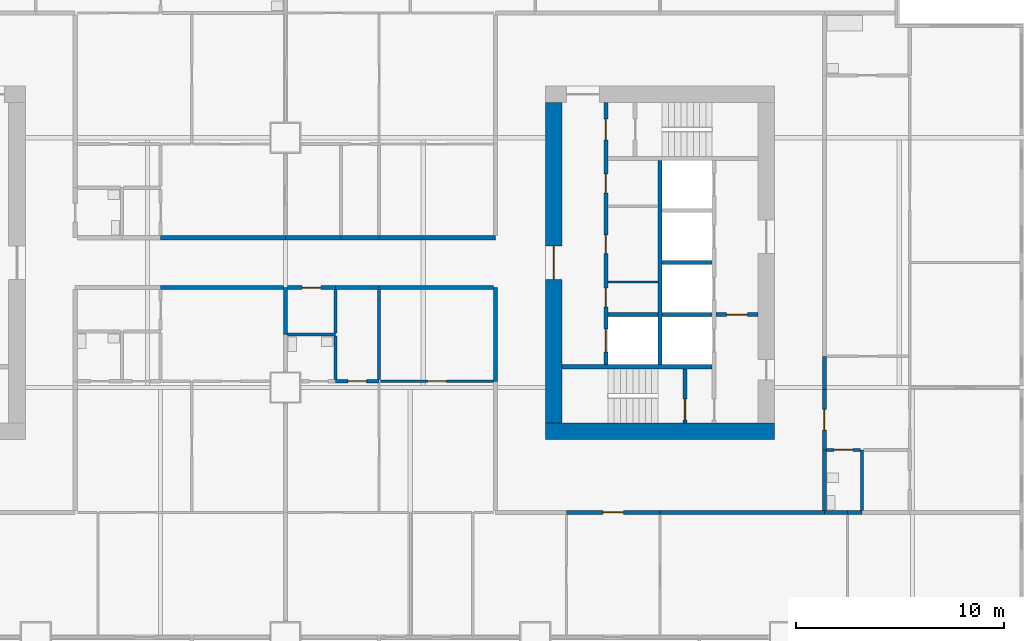
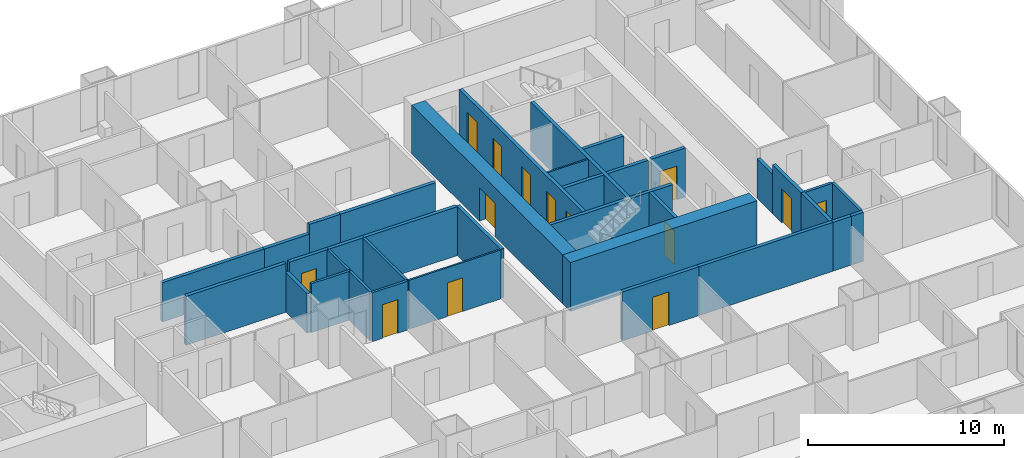
# One storey, part 7 of 14: 36 walls, 14 doors, 14 openings.
"""IFC4 building model written with IfcOpenShell, lengths in metres."""

import ifcopenshell
import ifcopenshell.guid

model = None  # the IFC model being written
_history = None  # IfcOwnerHistory: only IFC2X3 demands one
_inside = {}  # id of a spatial element -> (the spatial element, [elements in it])
_under = {}  # id of a project, library or spatial element -> (it, [spatial elements below it])
_declared = {}  # id of a project -> (the project, [libraries it declares])
_typed = {}  # id of a type object -> (the type object, [elements of that type])
_made_of = {}  # id of a material, layer set ... -> (it, [elements and type objects made of it])


def new_model(schema):
    """Start an empty IFC model of exactly this schema.

    Asked for "IFC4X3", IfcOpenShell would pick the latest addendum, in which some entities
    have other attributes; the version numbers below select the first issue.
    IFC2X3 requires an IfcOwnerHistory on every rooted entity: one is made here for all.
    """
    global model, _history
    if schema == "IFC4X3":
        model = ifcopenshell.file(schema_version=(4, 3, 0, 0))
    else:
        model = ifcopenshell.file(schema=schema)
    _inside.clear()
    _under.clear()
    _declared.clear()
    _typed.clear()
    _made_of.clear()
    _history = None
    if model.schema == "IFC2X3":
        org = make("IfcOrganization", Name="unknown")
        user = make(
            "IfcPersonAndOrganization",
            ThePerson=make("IfcPerson", FamilyName="unknown"),
            TheOrganization=org,
        )
        app = make(
            "IfcApplication",
            ApplicationDeveloper=org,
            Version="unknown",
            ApplicationFullName="unknown",
            ApplicationIdentifier="unknown",
        )
        _history = make(
            "IfcOwnerHistory",
            OwningUser=user,
            OwningApplication=app,
            ChangeAction="ADDED",
            CreationDate=0,
        )
    return model


def make(cls, **values):
    """One entity of the class cls with the attributes given. An attribute that is None is left unset."""
    return model.create_entity(
        cls, **{name: value for name, value in values.items() if value is not None}
    )


def rooted(cls, **values):
    """An entity with a GlobalId (a new one), such as an element, a storey or a relation."""
    return make(cls, GlobalId=ifcopenshell.guid.new(), OwnerHistory=_history, **values)


def si_unit(unit_type, name, prefix=None):
    """IfcSIUnit, for example si_unit("LENGTHUNIT", "METRE", prefix="MILLI")."""
    return make("IfcSIUnit", UnitType=unit_type, Prefix=prefix, Name=name)


def assignment(units):
    """IfcUnitAssignment: the units of a project."""
    return None if units is None else make("IfcUnitAssignment", Units=units)


def point(xyz):
    """IfcCartesianPoint."""
    return None if xyz is None else make("IfcCartesianPoint", Coordinates=xyz)


def direction(xyz):
    """IfcDirection."""
    return None if xyz is None else make("IfcDirection", DirectionRatios=xyz)


def frame(location, z_axis=None, x_axis=None):
    """IfcAxis2Placement3D, a coordinate frame: its origin and axes. An axis left out is left unset."""
    return make(
        "IfcAxis2Placement3D",
        Location=point(location),
        Axis=direction(z_axis),
        RefDirection=direction(x_axis),
    )


def frame_2d(location, x_axis=None):
    """IfcAxis2Placement2D, a coordinate frame in the plane: its origin and x axis."""
    return make(
        "IfcAxis2Placement2D", Location=point(location), RefDirection=direction(x_axis)
    )


def origin():
    """The frame at (0, 0, 0) with its axes left unset."""
    return frame((0.0, 0.0, 0.0))


def place(relative_to, where):
    """IfcLocalPlacement: puts the frame where relative to a parent placement (None: the world)."""
    return make(
        "IfcLocalPlacement", PlacementRelTo=relative_to, RelativePlacement=where
    )


def context(
    kind, dimensions, precision=None, world=None, true_north=None, identifier=None
):
    """IfcGeometricRepresentationContext, for example the 3D "Model" context."""
    return make(
        "IfcGeometricRepresentationContext",
        ContextIdentifier=identifier,
        ContextType=kind,
        CoordinateSpaceDimension=dimensions,
        Precision=precision,
        WorldCoordinateSystem=world,
        TrueNorth=true_north,
    )


def subcontext(parent, identifier, kind, view, scale=None):
    """IfcGeometricRepresentationSubContext, for example "Body" below "Model"."""
    return make(
        "IfcGeometricRepresentationSubContext",
        ContextIdentifier=identifier,
        ContextType=kind,
        ParentContext=parent,
        TargetScale=scale,
        TargetView=view,
    )


def project(units=None, contexts=None):
    """IfcProject with its units and contexts."""
    return rooted(
        "IfcProject",
        Name="project",
        RepresentationContexts=contexts,
        UnitsInContext=assignment(units),
    )


def spatial(cls, under=None, at=None, **own):
    """A site, building, storey or space (cls), placed at a placement, below another one or the project."""
    s = rooted(cls, ObjectPlacement=at, **own)
    if under is not None:
        _under.setdefault(under.id(), (under, []))[1].append(s)
    return s


def profile(cls, at=None, kind="AREA", **sizes):
    """A parametric profile (cls). Its sizes go by their IFC names, for example OverallWidth=200.0."""
    return make(cls, ProfileType=kind, Position=at, **sizes)


def rectangle(**sizes):
    """IfcRectangleProfileDef."""
    return profile("IfcRectangleProfileDef", **sizes)


def extrude(swept, where, along, depth):
    """IfcExtrudedAreaSolid: the profile swept, set in the frame where, extruded along a direction by depth."""
    return make(
        "IfcExtrudedAreaSolid",
        SweptArea=swept,
        Position=where,
        ExtrudedDirection=direction(along),
        Depth=depth,
    )


def shape(context_of_items, identifier, shape_type, items):
    """IfcShapeRepresentation: the items that make up one representation, for example the "Body"."""
    return make(
        "IfcShapeRepresentation",
        ContextOfItems=context_of_items,
        RepresentationIdentifier=identifier,
        RepresentationType=shape_type,
        Items=items,
    )


def material(Name=None, Category=None):
    """IfcMaterial."""
    return make("IfcMaterial", Name=Name, Category=Category)


def layer(
    of_material, thickness, ventilated=None, Name=None, Category=None, Priority=None
):
    """IfcMaterialLayer: one layer of a wall or slab, of a material (None: an air gap)."""
    return make(
        "IfcMaterialLayer",
        Material=of_material,
        LayerThickness=thickness,
        IsVentilated=ventilated,
        Name=Name,
        Category=Category,
        Priority=Priority,
    )


def layer_set(layers, Name=None):
    """IfcMaterialLayerSet."""
    return make("IfcMaterialLayerSet", MaterialLayers=layers, LayerSetName=Name)


def made_of(thing, what):
    """Note that an element or type object is made of a material, layer set ...; save() writes the relation."""
    if what is not None:
        _made_of.setdefault(what.id(), (what, []))[1].append(thing)
    return thing


def type_object(cls, material=None, **own):
    """A type object (cls), such as IfcWallType, which elements share."""
    return made_of(rooted(cls, **own), material)


def element(
    cls,
    number,
    at=None,
    inside=None,
    cuts=None,
    type_object=None,
    material=None,
    context=None,
    identifier="Body",
    shape_type=None,
    held_by="IfcProductDefinitionShape",
    body=None,
    shapes=None,
    **own,
):
    """One element of the class cls, such as IfcWall. Its Tag is "e" and its number.

    at: its placement. inside: the storey or other place that contains it. cuts: it is an
    opening in that element (IfcRelVoidsElement). A single representation is given by context,
    identifier, shape_type and body (its items); several are given by shapes. held_by: the class
    of the entity that holds the representations. save() writes the other relations.
    """
    e = rooted(cls, Tag="e%d" % number, ObjectPlacement=at, **own)
    if body is not None:
        shapes = [shape(context, identifier, shape_type, body)]
    if shapes is not None:
        e.Representation = make(held_by, Representations=shapes)
    if inside is not None:
        _inside.setdefault(inside.id(), (inside, []))[1].append(e)
    if cuts is not None:
        rooted(
            "IfcRelVoidsElement", RelatingBuildingElement=cuts, RelatedOpeningElement=e
        )
    if type_object is not None:
        _typed.setdefault(type_object.id(), (type_object, []))[1].append(e)
    return made_of(e, material)


def fill(opening, filler):
    """IfcRelFillsElement: the door or window that sits in an opening."""
    return rooted(
        "IfcRelFillsElement",
        RelatingOpeningElement=opening,
        RelatedBuildingElement=filler,
    )


def aggregate(whole, parts):
    """IfcRelAggregates: a whole, such as a stair, and the parts it consists of."""
    return rooted("IfcRelAggregates", RelatingObject=whole, RelatedObjects=parts)


def save(model, path):
    """Write the relations noted so far, then the file.

    IfcRelAggregates (storeys below a building ...), IfcRelContainedInSpatialStructure (elements
    in a storey), IfcRelDefinesByType, IfcRelAssociatesMaterial and IfcRelDeclares: one each for
    every whole, place, type object, material and project.
    """
    for whole, parts in _under.values():
        aggregate(whole, parts)
    for where, things in _inside.values():
        rooted(
            "IfcRelContainedInSpatialStructure",
            RelatedElements=things,
            RelatingStructure=where,
        )
    for kind, things in _typed.values():
        rooted("IfcRelDefinesByType", RelatedObjects=things, RelatingType=kind)
    for what, things in _made_of.values():
        rooted("IfcRelAssociatesMaterial", RelatedObjects=things, RelatingMaterial=what)
    for by, libraries in _declared.values():
        rooted("IfcRelDeclares", RelatingContext=by, RelatedDefinitions=libraries)
    model.write(path)


model = new_model("IFC4")

# Units and contexts
model_context = context("Model", 3, precision=1e-05, world=origin(), true_north=direction((0.0, 1.0)))
body_context = subcontext(model_context, "Body", "Model", "MODEL_VIEW")
ifc_project = project(units=[si_unit("LENGTHUNIT", "METRE"), si_unit("AREAUNIT", "SQUARE_METRE"), si_unit("VOLUMEUNIT", "CUBIC_METRE"), si_unit("PLANEANGLEUNIT", "RADIAN"), si_unit("MASSUNIT", "GRAM", prefix="KILO")], contexts=[model_context])

# Site, building, storey
site_placement = place(None, origin())
site = spatial("IfcSite", under=ifc_project, at=site_placement, CompositionType="ELEMENT")
building_placement = place(site_placement, origin())
building = spatial("IfcBuilding", under=site, at=building_placement, Name="Kitamizu Gate Tower and Museum", CompositionType="ELEMENT")
storey_placement = place(building_placement, frame((0.0, 0.0, 64.5)))
storey = spatial("IfcBuildingStorey", under=building, at=storey_placement, Name="L15", CompositionType="ELEMENT", Elevation=64.5)

# Wall
ifc_material_1 = material(Name="Concrete Fc60", Category="concrete")
ifc_layer_1 = layer(ifc_material_1, 0.800048828125)
ifc_layer_set_1 = layer_set([ifc_layer_1], Name="Concrete Fc60")
wall_type_1 = type_object("IfcWallType", Name="Core wall 800", PredefinedType="SHEAR", material=ifc_layer_set_1)
wall_1_placement = place(storey_placement, frame((59.5, 21.89990234375, 0.0), z_axis=(0.0, 0.0, 1.0), x_axis=(-1.0, 0.0, 0.0)))
element("IfcWall", 1, at=wall_1_placement, inside=storey, type_object=wall_type_1, Name="Core wall ES", PredefinedType="SHEAR", context=body_context, shape_type="SweptSolid", body=[
    extrude(rectangle(XDim=11.0, YDim=0.800048828125, at=frame_2d((5.5, 0.0))), origin(), (0.0, 0.0, 1.0), 3.050048828125),
])

# Wall, opening, door
wall_2_placement = place(storey_placement, frame((48.89990234375, 22.300048828125, 0.0), z_axis=(0.0, 0.0, 1.0), x_axis=(0.0, 1.0, 0.0)))
wall_2 = element("IfcWall", 2, at=wall_2_placement, inside=storey, type_object=wall_type_1, Name="Core wall EARC", PredefinedType="SHEAR", context=body_context, shape_type="SweptSolid", body=[
    extrude(rectangle(XDim=15.39990234375, YDim=0.800048828125, at=frame_2d((7.699951171875, 0.0))), origin(), (0.0, 0.0, 1.0), 3.050048828125),
])
opening_1_placement = place(wall_2_placement, frame((6.89990234375, 0.0, 0.0)))
opening_1 = element("IfcOpeningElement", 3, at=opening_1_placement, cuts=wall_2, Name="Opening L15-105", PredefinedType="OPENING", context=body_context, shape_type="SweptSolid", body=[
    extrude(rectangle(XDim=1.60009765625, YDim=2.10009765625, at=frame_2d((0.800048828125, 1.050048828125))), frame((0.0, 0.41015625, 0.0), z_axis=(0.0, -1.0, 0.0), x_axis=(1.0, 0.0, 0.0)), (0.0, 0.0, 1.0), 0.820068359375),
])
ifc_material_2 = material(Name="Timber door set", Category="wood")
door_type_1 = type_object("IfcDoorType", Name="Entrance door 1600", OperationType="DOUBLE_DOOR_SINGLE_SWING", PredefinedType="DOOR", material=ifc_material_2)
door_1_placement = place(opening_1_placement, origin())
door_1 = element("IfcDoor", 4, at=door_1_placement, inside=storey, type_object=door_type_1, Name="Lobby door L15-105", OperationType="DOUBLE_DOOR_SINGLE_SWING", OverallHeight=2.10009765625, OverallWidth=1.60009765625, PredefinedType="DOOR", context=body_context, shape_type="SweptSolid", body=[
    extrude(rectangle(XDim=1.60009765625, YDim=2.10009765625, at=frame_2d((0.800048828125, 1.050048828125))), frame((0.0, 0.02490234375, 0.0), z_axis=(0.0, -1.0, 0.0), x_axis=(1.0, 0.0, 0.0)), (0.0, 0.0, 1.0), 0.050048828125),
])
fill(opening_1, door_1)

# Wall
ifc_material_3 = material(Name="Gypsum board on galvanised stud")
ifc_layer_2 = layer(ifc_material_3, 0.10009765625)
ifc_layer_set_2 = layer_set([ifc_layer_2], Name="Gypsum board on galvanised stud")
wall_type_2 = type_object("IfcWallType", Name="Partition 100", PredefinedType="PARTITIONING", material=ifc_layer_set_2)
wall_3_placement = place(storey_placement, frame((53.89990234375, 29.06005859375, 0.0), z_axis=(0.0, 0.0, 1.0), x_axis=(-1.0, 0.0, 0.0)))
element("IfcWall", 5, at=wall_3_placement, inside=storey, type_object=wall_type_2, Name="Partition EPF1", PredefinedType="PARTITIONING", context=body_context, shape_type="SweptSolid", body=[
    extrude(rectangle(XDim=2.39990234375, YDim=0.10009765625, at=frame_2d((1.199951171875, 0.0))), origin(), (0.0, 0.0, 1.0), 3.050048828125),
])

# Wall, opening, door
ifc_material_4 = material(Name="Gypsum board on galvanised stud")
ifc_layer_3 = layer(ifc_material_4, 0.10009765625)
ifc_layer_set_3 = layer_set([ifc_layer_3], Name="Gypsum board on galvanised stud")
wall_type_3 = type_object("IfcWallType", Name="Partition 100 NOT RATED", PredefinedType="PARTITIONING", material=ifc_layer_set_3)
wall_4_placement = place(storey_placement, frame((46.0, 24.300048828125, 0.0), z_axis=(0.0, 0.0, 1.0), x_axis=(-1.0, 0.0, 0.0)))
wall_4 = element("IfcWall", 6, at=wall_4_placement, inside=storey, type_object=wall_type_3, Name="Partition L15-118", PredefinedType="PARTITIONING", context=body_context, shape_type="SweptSolid", body=[
    extrude(rectangle(XDim=5.425048828125, YDim=0.10009765625, at=frame_2d((2.71240234375, 0.0))), origin(), (0.0, 0.0, 1.0), 3.050048828125),
])
opening_2_placement = place(wall_4_placement, frame((2.262451171875, 0.0, 0.0)))
opening_2 = element("IfcOpeningElement", 7, at=opening_2_placement, cuts=wall_4, Name="Opening L15-045", PredefinedType="OPENING", context=body_context, shape_type="SweptSolid", body=[
    extrude(rectangle(XDim=0.89990234375, YDim=2.10009765625, at=frame_2d((0.449951171875, 1.050048828125))), frame((0.0, 0.06005859375, 0.0), z_axis=(0.0, -1.0, 0.0), x_axis=(1.0, 0.0, 0.0)), (0.0, 0.0, 1.0), 0.1201171875),
])
ifc_material_5 = material(Name="Timber door set", Category="wood")
door_type_2 = type_object("IfcDoorType", Name="Room door 900", OperationType="NOTDEFINED", PredefinedType="DOOR", material=ifc_material_5)
door_2_placement = place(opening_2_placement, frame((0.89990234375, 0.0, 0.0), x_axis=(-1.0, 0.0, 0.0)))
door_2 = element("IfcDoor", 8, at=door_2_placement, inside=storey, type_object=door_type_2, Name="Door L15-045", OperationType="SINGLE_SWING_LEFT", OverallHeight=2.10009765625, OverallWidth=0.89990234375, PredefinedType="DOOR", context=body_context, shape_type="SweptSolid", body=[
    extrude(rectangle(XDim=0.89990234375, YDim=2.10009765625, at=frame_2d((0.449951171875, 1.050048828125))), frame((0.0, 0.02490234375, 0.0), z_axis=(0.0, -1.0, 0.0), x_axis=(1.0, 0.0, 0.0)), (0.0, 0.0, 1.0), 0.050048828125),
])
fill(opening_2, door_2)

ifc_material_6 = material(Name="Gypsum board on galvanised stud")
ifc_layer_4 = layer(ifc_material_6, 0.14990234375)
ifc_layer_set_4 = layer_set([ifc_layer_4], Name="Gypsum board on galvanised stud")
wall_type_4 = type_object("IfcWallType", Name="Partition 150", PredefinedType="PARTITIONING", material=ifc_layer_set_4)
wall_5_placement = place(storey_placement, frame((40.5, 24.300048828125, 0.0), z_axis=(0.0, 0.0, 1.0), x_axis=(-1.0, 0.0, 0.0)))
wall_5 = element("IfcWall", 9, at=wall_5_placement, inside=storey, type_object=wall_type_4, Name="Partition L15-117", PredefinedType="PARTITIONING", context=body_context, shape_type="SweptSolid", body=[
    extrude(rectangle(XDim=2.10009765625, YDim=0.14990234375, at=frame_2d((1.050048828125, 0.0))), origin(), (0.0, 0.0, 1.0), 3.050048828125),
])
opening_3_placement = place(wall_5_placement, frame((0.60009765625, 0.0, 0.0)))
opening_3 = element("IfcOpeningElement", 10, at=opening_3_placement, cuts=wall_5, Name="Opening L15-044", PredefinedType="OPENING", context=body_context, shape_type="SweptSolid", body=[
    extrude(rectangle(XDim=0.89990234375, YDim=2.10009765625, at=frame_2d((0.449951171875, 1.050048828125))), frame((0.0, 0.0849609375, 0.0), z_axis=(0.0, -1.0, 0.0), x_axis=(1.0, 0.0, 0.0)), (0.0, 0.0, 1.0), 0.169921875),
])
ifc_material_7 = material(Name="Timber door set", Category="wood")
door_type_3 = type_object("IfcDoorType", Name="Bathroom door 900", OperationType="NOTDEFINED", PredefinedType="DOOR", material=ifc_material_7)
door_3_placement = place(opening_3_placement, frame((0.89990234375, 0.0, 0.0), x_axis=(-1.0, 0.0, 0.0)))
door_3 = element("IfcDoor", 11, at=door_3_placement, inside=storey, type_object=door_type_3, Name="Bathroom door L15-044", OperationType="SINGLE_SWING_RIGHT", OverallHeight=2.10009765625, OverallWidth=0.89990234375, PredefinedType="DOOR", context=body_context, shape_type="SweptSolid", body=[
    extrude(rectangle(XDim=0.89990234375, YDim=2.10009765625, at=frame_2d((0.449951171875, 1.050048828125))), frame((0.0, 0.02490234375, 0.0), z_axis=(0.0, -1.0, 0.0), x_axis=(1.0, 0.0, 0.0)), (0.0, 0.0, 1.0), 0.050048828125),
])
fill(opening_3, door_3)

# Walls
wall_6_placement = place(storey_placement, frame((38.39990234375, 26.550048828125, 0.0), z_axis=(0.0, 0.0, 1.0), x_axis=(-1.0, 0.0, 0.0)))
element("IfcWall", 12, at=wall_6_placement, inside=storey, type_object=wall_type_4, Name="Partition L15-120", PredefinedType="PARTITIONING", context=body_context, shape_type="SweptSolid", body=[
    extrude(rectangle(XDim=2.2998046875, YDim=0.14990234375, at=frame_2d((1.14990234375, 0.0))), origin(), (0.0, 0.0, 1.0), 3.050048828125),
])
wall_7_placement = place(storey_placement, frame((38.39990234375, 24.375, 0.0), z_axis=(0.0, 0.0, 1.0), x_axis=(0.0, 1.0, 0.0)))
element("IfcWall", 13, at=wall_7_placement, inside=storey, type_object=wall_type_4, Name="Partition L15-121", PredefinedType="PARTITIONING", context=body_context, shape_type="SweptSolid", body=[
    extrude(rectangle(XDim=2.10009765625, YDim=0.14990234375, at=frame_2d((1.050048828125, 0.0))), origin(), (0.0, 0.0, 1.0), 3.050048828125),
])
wall_8_placement = place(storey_placement, frame((38.39990234375, 26.625, 0.0), z_axis=(0.0, 0.0, 1.0), x_axis=(0.0, 1.0, 0.0)))
element("IfcWall", 14, at=wall_8_placement, inside=storey, type_object=wall_type_4, Name="Partition L15-122", PredefinedType="PARTITIONING", context=body_context, shape_type="SweptSolid", body=[
    extrude(rectangle(XDim=2.074951171875, YDim=0.14990234375, at=frame_2d((1.03759765625, 0.0))), origin(), (0.0, 0.0, 1.0), 3.050048828125),
])
wall_9_placement = place(storey_placement, frame((40.5, 24.375, 0.0), z_axis=(0.0, 0.0, 1.0), x_axis=(0.0, 1.0, 0.0)))
element("IfcWall", 15, at=wall_9_placement, inside=storey, type_object=wall_type_4, Name="Partition L15-124", PredefinedType="PARTITIONING", context=body_context, shape_type="SweptSolid", body=[
    extrude(rectangle(XDim=4.324951171875, YDim=0.14990234375, at=frame_2d((2.16259765625, 0.0))), origin(), (0.0, 0.0, 1.0), 3.050048828125),
])
wall_10_placement = place(storey_placement, frame((63.699951171875, 18.10009765625, 0.0), z_axis=(0.0, 0.0, 1.0), x_axis=(0.0, 1.0, 0.0)))
element("IfcWall", 16, at=wall_10_placement, inside=storey, type_object=wall_type_4, Name="Partition L15-216", PredefinedType="PARTITIONING", context=body_context, shape_type="SweptSolid", body=[
    extrude(rectangle(XDim=2.89990234375, YDim=0.14990234375, at=frame_2d((1.449951171875, 0.0))), origin(), (0.0, 0.0, 1.0), 3.050048828125),
])

# Wall, opening, door
wall_11_placement = place(storey_placement, frame((63.625, 21.0, 0.0), z_axis=(0.0, 0.0, 1.0), x_axis=(-1.0, 0.0, 0.0)))
wall_11 = element("IfcWall", 17, at=wall_11_placement, inside=storey, type_object=wall_type_4, Name="Partition L15-217", PredefinedType="PARTITIONING", context=body_context, shape_type="SweptSolid", body=[
    extrude(rectangle(XDim=1.625, YDim=0.14990234375, at=frame_2d((0.8125, 0.0))), origin(), (0.0, 0.0, 1.0), 3.050048828125),
])
opening_4_placement = place(wall_11_placement, frame((0.362548828125, 0.0, 0.0)))
opening_4 = element("IfcOpeningElement", 18, at=opening_4_placement, cuts=wall_11, Name="Opening L15-082", PredefinedType="OPENING", context=body_context, shape_type="SweptSolid", body=[
    extrude(rectangle(XDim=0.89990234375, YDim=2.10009765625, at=frame_2d((0.449951171875, 1.050048828125))), frame((0.0, 0.0849609375, 0.0), z_axis=(0.0, -1.0, 0.0), x_axis=(1.0, 0.0, 0.0)), (0.0, 0.0, 1.0), 0.169921875),
])
door_4_placement = place(opening_4_placement, origin())
door_4 = element("IfcDoor", 19, at=door_4_placement, inside=storey, type_object=door_type_3, Name="Bathroom door L15-082", OperationType="SINGLE_SWING_LEFT", OverallHeight=2.10009765625, OverallWidth=0.89990234375, PredefinedType="DOOR", context=body_context, shape_type="SweptSolid", body=[
    extrude(rectangle(XDim=0.89990234375, YDim=2.10009765625, at=frame_2d((0.449951171875, 1.050048828125))), frame((0.0, 0.02490234375, 0.0), z_axis=(0.0, -1.0, 0.0), x_axis=(1.0, 0.0, 0.0)), (0.0, 0.0, 1.0), 0.050048828125),
])
fill(opening_4, door_4)

# Walls
ifc_material_8 = material(Name="Gypsum board on galvanised stud")
ifc_layer_5 = layer(ifc_material_8, 0.199951171875)
ifc_layer_set_5 = layer_set([ifc_layer_5], Name="Gypsum board on galvanised stud")
wall_type_5 = type_object("IfcWallType", Name="Partition 200", PredefinedType="PARTITIONING", material=ifc_layer_set_5)
wall_12_placement = place(storey_placement, frame((36.0, 26.550048828125, 0.0), z_axis=(0.0, 0.0, 1.0), x_axis=(0.0, 1.0, 0.0)))
element("IfcWall", 20, at=wall_12_placement, inside=storey, type_object=wall_type_5, Name="Partition L15-069", PredefinedType="PARTITIONING", context=body_context, shape_type="SweptSolid", body=[
    extrude(rectangle(XDim=2.25, YDim=0.199951171875, at=frame_2d((1.125, 0.0))), origin(), (0.0, 0.0, 1.0), 2.449951171875),
])
wall_13_placement = place(storey_placement, frame((35.89990234375, 28.800048828125, 0.0), z_axis=(0.0, 0.0, 1.0), x_axis=(-1.0, 0.0, 0.0)))
element("IfcWall", 21, at=wall_13_placement, inside=storey, type_object=wall_type_5, Name="Partition L15-070", PredefinedType="PARTITIONING", context=body_context, shape_type="SweptSolid", body=[
    extrude(rectangle(XDim=5.89990234375, YDim=0.199951171875, at=frame_2d((2.949951171875, 0.0))), origin(), (0.0, 0.0, 1.0), 3.050048828125),
])

# Wall, opening, door
wall_14_placement = place(storey_placement, frame((54.0, 18.0, 0.0), z_axis=(0.0, 0.0, 1.0), x_axis=(-1.0, 0.0, 0.0)))
wall_14 = element("IfcWall", 22, at=wall_14_placement, inside=storey, type_object=wall_type_5, Name="Partition L15-108", PredefinedType="PARTITIONING", context=body_context, shape_type="SweptSolid", body=[
    extrude(rectangle(XDim=4.5, YDim=0.199951171875, at=frame_2d((2.25, 0.0))), origin(), (0.0, 0.0, 1.0), 3.050048828125),
])
opening_5_placement = place(wall_14_placement, frame((1.75, 0.0, 0.0)))
opening_5 = element("IfcOpeningElement", 23, at=opening_5_placement, cuts=wall_14, Name="Opening L15-025", PredefinedType="OPENING", context=body_context, shape_type="SweptSolid", body=[
    extrude(rectangle(XDim=1.0, YDim=2.10009765625, at=frame_2d((0.5, 1.050048828125))), frame((0.0, 0.10986328125, 0.0), z_axis=(0.0, -1.0, 0.0), x_axis=(1.0, 0.0, 0.0)), (0.0, 0.0, 1.0), 0.219970703125),
])
ifc_material_9 = material(Name="Timber door set", Category="wood")
door_type_4 = type_object("IfcDoorType", Name="Flat entrance door 1000", OperationType="NOTDEFINED", PredefinedType="DOOR", material=ifc_material_9)
door_5_placement = place(opening_5_placement, origin())
door_5 = element("IfcDoor", 24, at=door_5_placement, inside=storey, type_object=door_type_4, Name="Flat entrance door L15-025", OperationType="SINGLE_SWING_RIGHT", OverallHeight=2.10009765625, OverallWidth=1.0, PredefinedType="DOOR", context=body_context, shape_type="SweptSolid", body=[
    extrude(rectangle(XDim=1.0, YDim=2.10009765625, at=frame_2d((0.5, 1.050048828125))), frame((0.0, 0.02490234375, 0.0), z_axis=(0.0, -1.0, 0.0), x_axis=(1.0, 0.0, 0.0)), (0.0, 0.0, 1.0), 0.050048828125),
])
fill(opening_5, door_5)

# Walls
wall_15_placement = place(storey_placement, frame((63.0, 18.0, 0.0), z_axis=(0.0, 0.0, 1.0), x_axis=(-1.0, 0.0, 0.0)))
element("IfcWall", 25, at=wall_15_placement, inside=storey, type_object=wall_type_5, Name="Partition L15-110", PredefinedType="PARTITIONING", context=body_context, shape_type="SweptSolid", body=[
    extrude(rectangle(XDim=1.10009765625, YDim=0.199951171875, at=frame_2d((0.550048828125, 0.0))), origin(), (0.0, 0.0, 1.0), 3.050048828125),
])
wall_16_placement = place(storey_placement, frame((61.89990234375, 18.0, 0.0), z_axis=(0.0, 0.0, 1.0), x_axis=(-1.0, 0.0, 0.0)))
element("IfcWall", 26, at=wall_16_placement, inside=storey, type_object=wall_type_5, Name="Partition L15-111", PredefinedType="PARTITIONING", context=body_context, shape_type="SweptSolid", body=[
    extrude(rectangle(XDim=7.89990234375, YDim=0.199951171875, at=frame_2d((3.949951171875, 0.0))), origin(), (0.0, 0.0, 1.0), 3.050048828125),
])
wall_17_placement = place(storey_placement, frame((63.699951171875, 18.0, 0.0), z_axis=(0.0, 0.0, 1.0), x_axis=(-1.0, 0.0, 0.0)))
element("IfcWall", 27, at=wall_17_placement, inside=storey, type_object=wall_type_5, Name="Partition L15-113", PredefinedType="PARTITIONING", context=body_context, shape_type="SweptSolid", body=[
    extrude(rectangle(XDim=0.699951171875, YDim=0.199951171875, at=frame_2d((0.35009765625, 0.0))), origin(), (0.0, 0.0, 1.0), 3.050048828125),
])

# Wall, opening, door
wall_18_placement = place(storey_placement, frame((38.39990234375, 28.800048828125, 0.0), z_axis=(0.0, 0.0, 1.0), x_axis=(-1.0, 0.0, 0.0)))
wall_18 = element("IfcWall", 28, at=wall_18_placement, inside=storey, type_object=wall_type_5, Name="Partition L15-123", PredefinedType="PARTITIONING", context=body_context, shape_type="SweptSolid", body=[
    extrude(rectangle(XDim=2.2998046875, YDim=0.199951171875, at=frame_2d((1.14990234375, 0.0))), origin(), (0.0, 0.0, 1.0), 3.050048828125),
])
opening_6_placement = place(wall_18_placement, frame((0.699951171875, 0.0, 0.0)))
opening_6 = element("IfcOpeningElement", 29, at=opening_6_placement, cuts=wall_18, Name="Opening L15-046", PredefinedType="OPENING", context=body_context, shape_type="SweptSolid", body=[
    extrude(rectangle(XDim=0.89990234375, YDim=2.10009765625, at=frame_2d((0.449951171875, 1.050048828125))), frame((0.0, 0.10986328125, 0.0), z_axis=(0.0, -1.0, 0.0), x_axis=(1.0, 0.0, 0.0)), (0.0, 0.0, 1.0), 0.219970703125),
])
ifc_material_10 = material(Name="Timber door set", Category="wood")
door_type_5 = type_object("IfcDoorType", Name="Store door 900", OperationType="NOTDEFINED", PredefinedType="DOOR", material=ifc_material_10)
door_6_placement = place(opening_6_placement, origin())
door_6 = element("IfcDoor", 30, at=door_6_placement, inside=storey, type_object=door_type_5, Name="Service entrance door L15-046", OperationType="SINGLE_SWING_LEFT", OverallHeight=2.10009765625, OverallWidth=0.89990234375, PredefinedType="DOOR", context=body_context, shape_type="SweptSolid", body=[
    extrude(rectangle(XDim=0.89990234375, YDim=2.10009765625, at=frame_2d((0.449951171875, 1.050048828125))), frame((0.0, 0.02490234375, 0.0), z_axis=(0.0, -1.0, 0.0), x_axis=(1.0, 0.0, 0.0)), (0.0, 0.0, 1.0), 0.050048828125),
])
fill(opening_6, door_6)

# Walls
wall_19_placement = place(storey_placement, frame((40.5, 28.800048828125, 0.0), z_axis=(0.0, 0.0, 1.0), x_axis=(-1.0, 0.0, 0.0)))
element("IfcWall", 31, at=wall_19_placement, inside=storey, type_object=wall_type_5, Name="Partition L15-125", PredefinedType="PARTITIONING", context=body_context, shape_type="SweptSolid", body=[
    extrude(rectangle(XDim=2.10009765625, YDim=0.199951171875, at=frame_2d((1.050048828125, 0.0))), origin(), (0.0, 0.0, 1.0), 3.050048828125),
])
wall_20_placement = place(storey_placement, frame((46.10009765625, 24.300048828125, 0.0), z_axis=(0.0, 0.0, 1.0), x_axis=(0.0, 1.0, 0.0)))
element("IfcWall", 32, at=wall_20_placement, inside=storey, type_object=wall_type_5, Name="Partition L15-126", PredefinedType="PARTITIONING", context=body_context, shape_type="SweptSolid", body=[
    extrude(rectangle(XDim=4.5, YDim=0.199951171875, at=frame_2d((2.25, 0.0))), origin(), (0.0, 0.0, 1.0), 3.050048828125),
])
wall_21_placement = place(storey_placement, frame((46.0, 28.800048828125, 0.0), z_axis=(0.0, 0.0, 1.0), x_axis=(-1.0, 0.0, 0.0)))
element("IfcWall", 33, at=wall_21_placement, inside=storey, type_object=wall_type_5, Name="Partition L15-127", PredefinedType="PARTITIONING", context=body_context, shape_type="SweptSolid", body=[
    extrude(rectangle(XDim=5.5, YDim=0.199951171875, at=frame_2d((2.75, 0.0))), origin(), (0.0, 0.0, 1.0), 3.050048828125),
])
wall_22_placement = place(storey_placement, frame((30.0, 31.199951171875, 0.0), z_axis=(0.0, 0.0, 1.0), x_axis=(1.0, 0.0, 0.0)))
element("IfcWall", 34, at=wall_22_placement, inside=storey, type_object=wall_type_5, Name="Partition L15-193", PredefinedType="PARTITIONING", context=body_context, shape_type="SweptSolid", body=[
    extrude(rectangle(XDim=6.0, YDim=0.199951171875, at=frame_2d((3.0, 0.0))), origin(), (0.0, 0.0, 1.0), 2.449951171875),
])
wall_23_placement = place(storey_placement, frame((36.0, 31.199951171875, 0.0), z_axis=(0.0, 0.0, 1.0), x_axis=(1.0, 0.0, 0.0)))
element("IfcWall", 35, at=wall_23_placement, inside=storey, type_object=wall_type_5, Name="Partition L15-202", PredefinedType="PARTITIONING", context=body_context, shape_type="SweptSolid", body=[
    extrude(rectangle(XDim=2.6669921875, YDim=0.199951171875, at=frame_2d((1.33349609375, 0.0))), origin(), (0.0, 0.0, 1.0), 2.449951171875),
])
wall_24_placement = place(storey_placement, frame((38.6669921875, 31.199951171875, 0.0), z_axis=(0.0, 0.0, 1.0), x_axis=(1.0, 0.0, 0.0)))
element("IfcWall", 36, at=wall_24_placement, inside=storey, type_object=wall_type_5, Name="Partition L15-204", PredefinedType="PARTITIONING", context=body_context, shape_type="SweptSolid", body=[
    extrude(rectangle(XDim=1.8330078125, YDim=0.199951171875, at=frame_2d((0.91650390625, 0.0))), origin(), (0.0, 0.0, 1.0), 3.050048828125),
])
wall_25_placement = place(storey_placement, frame((40.5, 31.199951171875, 0.0), z_axis=(0.0, 0.0, 1.0), x_axis=(1.0, 0.0, 0.0)))
element("IfcWall", 37, at=wall_25_placement, inside=storey, type_object=wall_type_5, Name="Partition L15-205", PredefinedType="PARTITIONING", context=body_context, shape_type="SweptSolid", body=[
    extrude(rectangle(XDim=5.60009765625, YDim=0.199951171875, at=frame_2d((2.800048828125, 0.0))), origin(), (0.0, 0.0, 1.0), 3.050048828125),
])
wall_26_placement = place(storey_placement, frame((61.89990234375, 21.0, 0.0), z_axis=(0.0, 0.0, 1.0), x_axis=(0.0, -1.0, 0.0)))
element("IfcWall", 38, at=wall_26_placement, inside=storey, type_object=wall_type_5, Name="Partition L15-218", PredefinedType="PARTITIONING", context=body_context, shape_type="SweptSolid", body=[
    extrude(rectangle(XDim=2.89990234375, YDim=0.199951171875, at=frame_2d((1.449951171875, 0.0))), origin(), (0.0, 0.0, 1.0), 3.050048828125),
])
wall_27_placement = place(storey_placement, frame((61.89990234375, 25.5, 0.0), z_axis=(0.0, 0.0, 1.0), x_axis=(0.0, -1.0, 0.0)))
element("IfcWall", 39, at=wall_27_placement, inside=storey, type_object=wall_type_5, Name="Partition L15-221", PredefinedType="PARTITIONING", context=body_context, shape_type="SweptSolid", body=[
    extrude(rectangle(XDim=1.60009765625, YDim=0.199951171875, at=frame_2d((0.800048828125, 0.0))), origin(), (0.0, 0.0, 1.0), 2.449951171875),
])

# Wall, opening, door
wall_28_placement = place(storey_placement, frame((61.89990234375, 23.89990234375, 0.0), z_axis=(0.0, 0.0, 1.0), x_axis=(0.0, -1.0, 0.0)))
wall_28 = element("IfcWall", 40, at=wall_28_placement, inside=storey, type_object=wall_type_5, Name="Partition L15-222", PredefinedType="PARTITIONING", context=body_context, shape_type="SweptSolid", body=[
    extrude(rectangle(XDim=2.89990234375, YDim=0.199951171875, at=frame_2d((1.449951171875, 0.0))), origin(), (0.0, 0.0, 1.0), 3.050048828125),
])
opening_7_placement = place(wall_28_placement, frame((0.949951171875, 0.0, 0.0)))
opening_7 = element("IfcOpeningElement", 41, at=opening_7_placement, cuts=wall_28, Name="Opening L15-077", PredefinedType="OPENING", context=body_context, shape_type="SweptSolid", body=[
    extrude(rectangle(XDim=1.0, YDim=2.10009765625, at=frame_2d((0.5, 1.050048828125))), frame((0.0, 0.10986328125, 0.0), z_axis=(0.0, -1.0, 0.0), x_axis=(1.0, 0.0, 0.0)), (0.0, 0.0, 1.0), 0.219970703125),
])
door_7_placement = place(opening_7_placement, origin())
door_7 = element("IfcDoor", 42, at=door_7_placement, inside=storey, type_object=door_type_4, Name="Flat entrance door L15-077", OperationType="SINGLE_SWING_LEFT", OverallHeight=2.10009765625, OverallWidth=1.0, PredefinedType="DOOR", context=body_context, shape_type="SweptSolid", body=[
    extrude(rectangle(XDim=1.0, YDim=2.10009765625, at=frame_2d((0.5, 1.050048828125))), frame((0.0, 0.02490234375, 0.0), z_axis=(0.0, -1.0, 0.0), x_axis=(1.0, 0.0, 0.0)), (0.0, 0.0, 1.0), 0.050048828125),
])
fill(opening_7, door_7)

# Wall, openings, doors
ifc_material_11 = material(Name="Concrete Fc42", Category="concrete")
ifc_layer_6 = layer(ifc_material_11, 0.199951171875)
ifc_layer_set_6 = layer_set([ifc_layer_6], Name="Concrete Fc42")
wall_type_6 = type_object("IfcWallType", Name="Shaft wall 200", PredefinedType="SOLIDWALL", material=ifc_layer_set_6)
wall_29_placement = place(storey_placement, frame((51.39990234375, 25.10009765625, 0.0), z_axis=(0.0, 0.0, 1.0), x_axis=(0.0, 1.0, 0.0)))
wall_29 = element("IfcWall", 43, at=wall_29_placement, inside=storey, type_object=wall_type_6, Name="Shaft wall EEAST", PredefinedType="SOLIDWALL", context=body_context, shape_type="SweptSolid", body=[
    extrude(rectangle(XDim=12.599853515625, YDim=0.199951171875, at=frame_2d((6.2998046875, 0.0))), origin(), (0.0, 0.0, 1.0), 3.050048828125),
])
opening_8_placement = place(wall_29_placement, frame((0.60009765625, 0.0, 0.0)))
opening_8 = element("IfcOpeningElement", 44, at=opening_8_placement, cuts=wall_29, Name="Opening LD", PredefinedType="OPENING", context=body_context, shape_type="SweptSolid", body=[
    extrude(rectangle(XDim=1.10009765625, YDim=2.10009765625, at=frame_2d((0.550048828125, 1.050048828125))), frame((0.0, 0.10986328125, 0.0), z_axis=(0.0, -1.0, 0.0), x_axis=(1.0, 0.0, 0.0)), (0.0, 0.0, 1.0), 0.219970703125),
])
opening_9_placement = place(wall_29_placement, frame((10.800048828125, 0.0, 0.0)))
opening_9 = element("IfcOpeningElement", 45, at=opening_9_placement, cuts=wall_29, Name="Opening L15-099", PredefinedType="OPENING", context=body_context, shape_type="SweptSolid", body=[
    extrude(rectangle(XDim=1.0, YDim=2.10009765625, at=frame_2d((0.5, 1.050048828125))), frame((0.0, 0.10986328125, 0.0), z_axis=(0.0, -1.0, 0.0), x_axis=(1.0, 0.0, 0.0)), (0.0, 0.0, 1.0), 0.219970703125),
])
opening_10_placement = place(wall_29_placement, frame((2.780029296875, 0.0, 0.0)))
opening_10 = element("IfcOpeningElement", 46, at=opening_10_placement, cuts=wall_29, Name="Opening L15-106", PredefinedType="OPENING", context=body_context, shape_type="SweptSolid", body=[
    extrude(rectangle(XDim=0.89990234375, YDim=2.10009765625, at=frame_2d((0.449951171875, 1.050048828125))), frame((0.0, 0.10986328125, 0.0), z_axis=(0.0, -1.0, 0.0), x_axis=(1.0, 0.0, 0.0)), (0.0, 0.0, 1.0), 0.219970703125),
])
opening_11_placement = place(wall_29_placement, frame((5.3349609375, 0.0, 0.0)))
opening_11 = element("IfcOpeningElement", 47, at=opening_11_placement, cuts=wall_29, Name="Opening L15-107", PredefinedType="OPENING", context=body_context, shape_type="SweptSolid", body=[
    extrude(rectangle(XDim=0.89990234375, YDim=2.10009765625, at=frame_2d((0.449951171875, 1.050048828125))), frame((0.0, 0.10986328125, 0.0), z_axis=(0.0, -1.0, 0.0), x_axis=(1.0, 0.0, 0.0)), (0.0, 0.0, 1.0), 0.219970703125),
])
opening_12_placement = place(wall_29_placement, frame((8.2548828125, 0.0, 0.0)))
opening_12 = element("IfcOpeningElement", 48, at=opening_12_placement, cuts=wall_29, Name="Opening L15-108", PredefinedType="OPENING", context=body_context, shape_type="SweptSolid", body=[
    extrude(rectangle(XDim=0.89990234375, YDim=2.10009765625, at=frame_2d((0.449951171875, 1.050048828125))), frame((0.0, 0.10986328125, 0.0), z_axis=(0.0, -1.0, 0.0), x_axis=(1.0, 0.0, 0.0)), (0.0, 0.0, 1.0), 0.219970703125),
])
ifc_material_12 = material(Name="Hollow metal door set")
door_type_6 = type_object("IfcDoorType", Name="Fire door 1000", OperationType="NOTDEFINED", PredefinedType="DOOR", material=ifc_material_12)
door_8_placement = place(opening_9_placement, frame((1.0, 0.0, 0.0), x_axis=(-1.0, 0.0, 0.0)))
door_8 = element("IfcDoor", 49, at=door_8_placement, inside=storey, type_object=door_type_6, Name="Stair lobby door L15-099", OperationType="SINGLE_SWING_RIGHT", OverallHeight=2.10009765625, OverallWidth=1.0, PredefinedType="DOOR", context=body_context, shape_type="SweptSolid", body=[
    extrude(rectangle(XDim=1.0, YDim=2.10009765625, at=frame_2d((0.5, 1.050048828125))), frame((0.0, 0.02490234375, 0.0), z_axis=(0.0, -1.0, 0.0), x_axis=(1.0, 0.0, 0.0)), (0.0, 0.0, 1.0), 0.050048828125),
])
fill(opening_9, door_8)
ifc_material_13 = material(Name="Hollow metal door set")
door_type_7 = type_object("IfcDoorType", Name="Landing door 1100", OperationType="SLIDING_TO_LEFT", PredefinedType="DOOR", material=ifc_material_13)
door_9_placement = place(opening_8_placement, origin())
door_9 = element("IfcDoor", 50, at=door_9_placement, inside=storey, type_object=door_type_7, Name="Landing door ESV1", OperationType="SLIDING_TO_LEFT", OverallHeight=2.10009765625, OverallWidth=1.10009765625, PredefinedType="DOOR", context=body_context, shape_type="SweptSolid", body=[
    extrude(rectangle(XDim=1.10009765625, YDim=2.10009765625, at=frame_2d((0.550048828125, 1.050048828125))), frame((0.0, 0.02490234375, 0.0), z_axis=(0.0, -1.0, 0.0), x_axis=(1.0, 0.0, 0.0)), (0.0, 0.0, 1.0), 0.050048828125),
])
fill(opening_8, door_9)
ifc_material_14 = material(Name="Timber door set", Category="wood")
door_type_8 = type_object("IfcDoorType", Name="Service door 900", OperationType="NOTDEFINED", PredefinedType="DOOR", material=ifc_material_14)
door_10_placement = place(opening_10_placement, frame((0.89990234375, 0.0, 0.0), x_axis=(-1.0, 0.0, 0.0)))
door_10 = element("IfcDoor", 51, at=door_10_placement, inside=storey, type_object=door_type_8, Name="Service door L15-106", OperationType="SINGLE_SWING_RIGHT", OverallHeight=2.10009765625, OverallWidth=0.89990234375, PredefinedType="DOOR", context=body_context, shape_type="SweptSolid", body=[
    extrude(rectangle(XDim=0.89990234375, YDim=2.10009765625, at=frame_2d((0.449951171875, 1.050048828125))), frame((0.0, 0.02490234375, 0.0), z_axis=(0.0, -1.0, 0.0), x_axis=(1.0, 0.0, 0.0)), (0.0, 0.0, 1.0), 0.050048828125),
])
fill(opening_10, door_10)
door_11_placement = place(opening_11_placement, frame((0.89990234375, 0.0, 0.0), x_axis=(-1.0, 0.0, 0.0)))
door_11 = element("IfcDoor", 52, at=door_11_placement, inside=storey, type_object=door_type_8, Name="Service door L15-107", OperationType="SINGLE_SWING_LEFT", OverallHeight=2.10009765625, OverallWidth=0.89990234375, PredefinedType="DOOR", context=body_context, shape_type="SweptSolid", body=[
    extrude(rectangle(XDim=0.89990234375, YDim=2.10009765625, at=frame_2d((0.449951171875, 1.050048828125))), frame((0.0, 0.02490234375, 0.0), z_axis=(0.0, -1.0, 0.0), x_axis=(1.0, 0.0, 0.0)), (0.0, 0.0, 1.0), 0.050048828125),
])
fill(opening_11, door_11)
door_12_placement = place(opening_12_placement, frame((0.89990234375, 0.0, 0.0), x_axis=(-1.0, 0.0, 0.0)))
door_12 = element("IfcDoor", 53, at=door_12_placement, inside=storey, type_object=door_type_8, Name="Service door L15-108", OperationType="SINGLE_SWING_RIGHT", OverallHeight=2.10009765625, OverallWidth=0.89990234375, PredefinedType="DOOR", context=body_context, shape_type="SweptSolid", body=[
    extrude(rectangle(XDim=0.89990234375, YDim=2.10009765625, at=frame_2d((0.449951171875, 1.050048828125))), frame((0.0, 0.02490234375, 0.0), z_axis=(0.0, -1.0, 0.0), x_axis=(1.0, 0.0, 0.0)), (0.0, 0.0, 1.0), 0.050048828125),
])
fill(opening_12, door_12)

# Walls
wall_30_placement = place(storey_placement, frame((54.0, 25.10009765625, 0.0), z_axis=(0.0, 0.0, 1.0), x_axis=(0.0, 1.0, 0.0)))
element("IfcWall", 54, at=wall_30_placement, inside=storey, type_object=wall_type_6, Name="Shaft wall EMID", PredefinedType="SOLIDWALL", context=body_context, shape_type="SweptSolid", body=[
    extrude(rectangle(XDim=9.7998046875, YDim=0.199951171875, at=frame_2d((4.89990234375, 0.0))), origin(), (0.0, 0.0, 1.0), 3.050048828125),
])
wall_31_placement = place(storey_placement, frame((56.5, 25.0, 0.0), z_axis=(0.0, 0.0, 1.0), x_axis=(-1.0, 0.0, 0.0)))
element("IfcWall", 55, at=wall_31_placement, inside=storey, type_object=wall_type_6, Name="Shaft wall ESB", PredefinedType="SOLIDWALL", context=body_context, shape_type="SweptSolid", body=[
    extrude(rectangle(XDim=7.199951171875, YDim=0.199951171875, at=frame_2d((3.60009765625, 0.0))), origin(), (0.0, 0.0, 1.0), 3.050048828125),
])

# Wall, opening, door
wall_32_placement = place(storey_placement, frame((58.699951171875, 27.5, 0.0), z_axis=(0.0, 0.0, 1.0), x_axis=(-1.0, 0.0, 0.0)))
wall_32 = element("IfcWall", 56, at=wall_32_placement, inside=storey, type_object=wall_type_6, Name="Shaft wall EFFN", PredefinedType="SOLIDWALL", context=body_context, shape_type="SweptSolid", body=[
    extrude(rectangle(XDim=2.0, YDim=0.199951171875, at=frame_2d((1.0, 0.0))), origin(), (0.0, 0.0, 1.0), 3.050048828125),
])
opening_13_placement = place(wall_32_placement, frame((0.5, 0.0, 0.0)))
opening_13 = element("IfcOpeningElement", 57, at=opening_13_placement, cuts=wall_32, Name="Opening L15-101", PredefinedType="OPENING", context=body_context, shape_type="SweptSolid", body=[
    extrude(rectangle(XDim=1.0, YDim=2.10009765625, at=frame_2d((0.5, 1.050048828125))), frame((0.0, 0.10986328125, 0.0), z_axis=(0.0, -1.0, 0.0), x_axis=(1.0, 0.0, 0.0)), (0.0, 0.0, 1.0), 0.219970703125),
])
door_13_placement = place(opening_13_placement, origin())
door_13 = element("IfcDoor", 58, at=door_13_placement, inside=storey, type_object=door_type_6, Name="Fire-fighting lobby door L15-101", OperationType="SINGLE_SWING_LEFT", OverallHeight=2.10009765625, OverallWidth=1.0, PredefinedType="DOOR", context=body_context, shape_type="SweptSolid", body=[
    extrude(rectangle(XDim=1.0, YDim=2.10009765625, at=frame_2d((0.5, 1.050048828125))), frame((0.0, 0.02490234375, 0.0), z_axis=(0.0, -1.0, 0.0), x_axis=(1.0, 0.0, 0.0)), (0.0, 0.0, 1.0), 0.050048828125),
])
fill(opening_13, door_13)

wall_33_placement = place(storey_placement, frame((55.199951171875, 22.300048828125, 0.0), z_axis=(0.0, 0.0, 1.0), x_axis=(0.0, 1.0, 0.0)))
wall_33 = element("IfcWall", 59, at=wall_33_placement, inside=storey, type_object=wall_type_6, Name="Shaft wall ESZ", PredefinedType="SOLIDWALL", context=body_context, shape_type="SweptSolid", body=[
    extrude(rectangle(XDim=2.599853515625, YDim=0.199951171875, at=frame_2d((1.2998046875, 0.0))), origin(), (0.0, 0.0, 1.0), 3.050048828125),
])
opening_14_placement = place(wall_33_placement, frame((0.14990234375, 0.0, 0.0)))
opening_14 = element("IfcOpeningElement", 60, at=opening_14_placement, cuts=wall_33, Name="Opening L15-097", PredefinedType="OPENING", context=body_context, shape_type="SweptSolid", body=[
    extrude(rectangle(XDim=1.0, YDim=2.10009765625, at=frame_2d((0.5, 1.050048828125))), frame((0.0, 0.10986328125, 0.0), z_axis=(0.0, -1.0, 0.0), x_axis=(1.0, 0.0, 0.0)), (0.0, 0.0, 1.0), 0.219970703125),
])
door_14_placement = place(opening_14_placement, origin())
door_14 = element("IfcDoor", 61, at=door_14_placement, inside=storey, type_object=door_type_6, Name="Stair door L15-097", OperationType="SINGLE_SWING_RIGHT", OverallHeight=2.10009765625, OverallWidth=1.0, PredefinedType="DOOR", context=body_context, shape_type="SweptSolid", body=[
    extrude(rectangle(XDim=1.0, YDim=2.10009765625, at=frame_2d((0.5, 1.050048828125))), frame((0.0, 0.02490234375, 0.0), z_axis=(0.0, -1.0, 0.0), x_axis=(1.0, 0.0, 0.0)), (0.0, 0.0, 1.0), 0.050048828125),
])
fill(opening_14, door_14)

# Walls
for number, where, z_axis, x_axis, name in (
    (62, (56.5, 27.5, 0.0), (0.0, 0.0, 1.0), (-1.0, 0.0, 0.0), "Shaft wall EDVW0"),
    (63, (56.5, 30.0, 0.0), (0.0, 0.0, 1.0), (-1.0, 0.0, 0.0), "Shaft wall EDVW1"),
    (64, (53.89990234375, 27.5, 0.0), (0.0, 0.0, 1.0), (-1.0, 0.0, 0.0), "Shaft wall EDVE0"),
):
    element("IfcWall", number, at=place(storey_placement, frame(where, z_axis=z_axis, x_axis=x_axis)), inside=storey, type_object=wall_type_6, Name=name, PredefinedType="SOLIDWALL", context=body_context, shape_type="SweptSolid", body=[
        extrude(rectangle(XDim=2.39990234375, YDim=0.199951171875, at=frame_2d((1.199951171875, 0.0))), origin(), (0.0, 0.0, 1.0), 3.050048828125),
    ])

save(model, "model.ifc")
